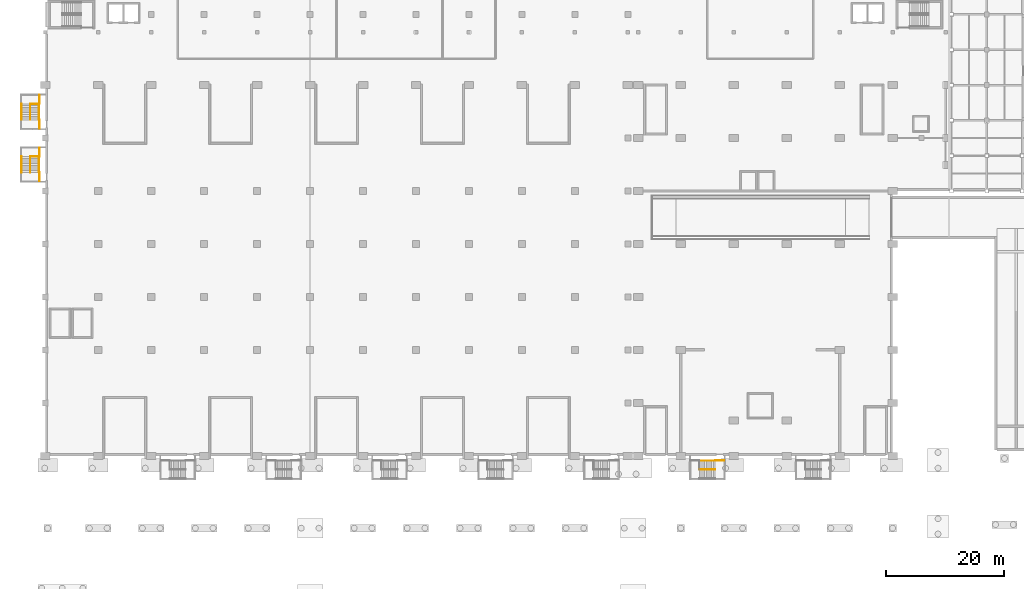
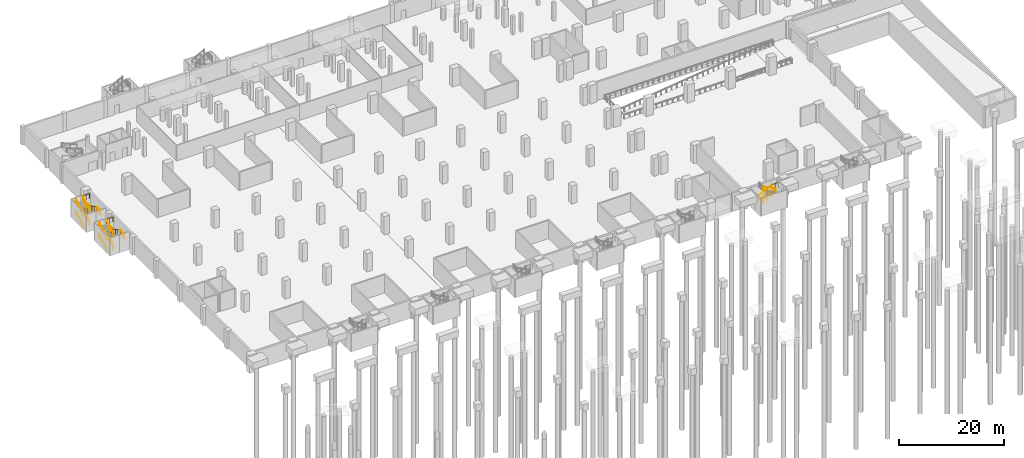
# One storey, part 24 of 27: 22 railings.
"""IFC4 building model written with IfcOpenShell, lengths in metres."""

import ifcopenshell
import ifcopenshell.guid

model = None  # the IFC model being written
_history = None  # IfcOwnerHistory: only IFC2X3 demands one
_inside = {}  # id of a spatial element -> (the spatial element, [elements in it])
_under = {}  # id of a project, library or spatial element -> (it, [spatial elements below it])
_declared = {}  # id of a project -> (the project, [libraries it declares])
_typed = {}  # id of a type object -> (the type object, [elements of that type])
_made_of = {}  # id of a material, layer set ... -> (it, [elements and type objects made of it])


def new_model(schema):
    """Start an empty IFC model of exactly this schema.

    Asked for "IFC4X3", IfcOpenShell would pick the latest addendum, in which some entities
    have other attributes; the version numbers below select the first issue.
    IFC2X3 requires an IfcOwnerHistory on every rooted entity: one is made here for all.
    """
    global model, _history
    if schema == "IFC4X3":
        model = ifcopenshell.file(schema_version=(4, 3, 0, 0))
    else:
        model = ifcopenshell.file(schema=schema)
    _inside.clear()
    _under.clear()
    _declared.clear()
    _typed.clear()
    _made_of.clear()
    _history = None
    if model.schema == "IFC2X3":
        org = make("IfcOrganization", Name="unknown")
        user = make(
            "IfcPersonAndOrganization",
            ThePerson=make("IfcPerson", FamilyName="unknown"),
            TheOrganization=org,
        )
        app = make(
            "IfcApplication",
            ApplicationDeveloper=org,
            Version="unknown",
            ApplicationFullName="unknown",
            ApplicationIdentifier="unknown",
        )
        _history = make(
            "IfcOwnerHistory",
            OwningUser=user,
            OwningApplication=app,
            ChangeAction="ADDED",
            CreationDate=0,
        )
    return model


def make(cls, **values):
    """One entity of the class cls with the attributes given. An attribute that is None is left unset."""
    return model.create_entity(
        cls, **{name: value for name, value in values.items() if value is not None}
    )


def rooted(cls, **values):
    """An entity with a GlobalId (a new one), such as an element, a storey or a relation."""
    return make(cls, GlobalId=ifcopenshell.guid.new(), OwnerHistory=_history, **values)


def si_unit(unit_type, name, prefix=None):
    """IfcSIUnit, for example si_unit("LENGTHUNIT", "METRE", prefix="MILLI")."""
    return make("IfcSIUnit", UnitType=unit_type, Prefix=prefix, Name=name)


def assignment(units):
    """IfcUnitAssignment: the units of a project."""
    return None if units is None else make("IfcUnitAssignment", Units=units)


def point(xyz):
    """IfcCartesianPoint."""
    return None if xyz is None else make("IfcCartesianPoint", Coordinates=xyz)


def direction(xyz):
    """IfcDirection."""
    return None if xyz is None else make("IfcDirection", DirectionRatios=xyz)


def frame(location, z_axis=None, x_axis=None):
    """IfcAxis2Placement3D, a coordinate frame: its origin and axes. An axis left out is left unset."""
    return make(
        "IfcAxis2Placement3D",
        Location=point(location),
        Axis=direction(z_axis),
        RefDirection=direction(x_axis),
    )


def frame_2d(location, x_axis=None):
    """IfcAxis2Placement2D, a coordinate frame in the plane: its origin and x axis."""
    return make(
        "IfcAxis2Placement2D", Location=point(location), RefDirection=direction(x_axis)
    )


def origin():
    """The frame at (0, 0, 0) with its axes left unset."""
    return frame((0.0, 0.0, 0.0))


def origin_2d():
    """The frame at (0, 0) in the plane with its x axis left unset."""
    return frame_2d((0.0, 0.0))


def place(relative_to, where):
    """IfcLocalPlacement: puts the frame where relative to a parent placement (None: the world)."""
    return make(
        "IfcLocalPlacement", PlacementRelTo=relative_to, RelativePlacement=where
    )


def context(
    kind, dimensions, precision=None, world=None, true_north=None, identifier=None
):
    """IfcGeometricRepresentationContext, for example the 3D "Model" context."""
    return make(
        "IfcGeometricRepresentationContext",
        ContextIdentifier=identifier,
        ContextType=kind,
        CoordinateSpaceDimension=dimensions,
        Precision=precision,
        WorldCoordinateSystem=world,
        TrueNorth=true_north,
    )


def subcontext(parent, identifier, kind, view, scale=None):
    """IfcGeometricRepresentationSubContext, for example "Body" below "Model"."""
    return make(
        "IfcGeometricRepresentationSubContext",
        ContextIdentifier=identifier,
        ContextType=kind,
        ParentContext=parent,
        TargetScale=scale,
        TargetView=view,
    )


def project(units=None, contexts=None):
    """IfcProject with its units and contexts."""
    return rooted(
        "IfcProject",
        Name="project",
        RepresentationContexts=contexts,
        UnitsInContext=assignment(units),
    )


def spatial(cls, under=None, at=None, **own):
    """A site, building, storey or space (cls), placed at a placement, below another one or the project."""
    s = rooted(cls, ObjectPlacement=at, **own)
    if under is not None:
        _under.setdefault(under.id(), (under, []))[1].append(s)
    return s


def profile(cls, at=None, kind="AREA", **sizes):
    """A parametric profile (cls). Its sizes go by their IFC names, for example OverallWidth=200.0."""
    return make(cls, ProfileType=kind, Position=at, **sizes)


def circle(**sizes):
    """IfcCircleProfileDef."""
    return profile("IfcCircleProfileDef", **sizes)


def extrude(swept, where, along, depth):
    """IfcExtrudedAreaSolid: the profile swept, set in the frame where, extruded along a direction by depth."""
    return make(
        "IfcExtrudedAreaSolid",
        SweptArea=swept,
        Position=where,
        ExtrudedDirection=direction(along),
        Depth=depth,
    )


def shape(context_of_items, identifier, shape_type, items):
    """IfcShapeRepresentation: the items that make up one representation, for example the "Body"."""
    return make(
        "IfcShapeRepresentation",
        ContextOfItems=context_of_items,
        RepresentationIdentifier=identifier,
        RepresentationType=shape_type,
        Items=items,
    )


def material(Name=None, Category=None):
    """IfcMaterial."""
    return make("IfcMaterial", Name=Name, Category=Category)


def made_of(thing, what):
    """Note that an element or type object is made of a material, layer set ...; save() writes the relation."""
    if what is not None:
        _made_of.setdefault(what.id(), (what, []))[1].append(thing)
    return thing


def type_object(cls, material=None, **own):
    """A type object (cls), such as IfcWallType, which elements share."""
    return made_of(rooted(cls, **own), material)


def element(
    cls,
    number,
    at=None,
    inside=None,
    cuts=None,
    type_object=None,
    material=None,
    context=None,
    identifier="Body",
    shape_type=None,
    held_by="IfcProductDefinitionShape",
    body=None,
    shapes=None,
    **own,
):
    """One element of the class cls, such as IfcWall. Its Tag is "e" and its number.

    at: its placement. inside: the storey or other place that contains it. cuts: it is an
    opening in that element (IfcRelVoidsElement). A single representation is given by context,
    identifier, shape_type and body (its items); several are given by shapes. held_by: the class
    of the entity that holds the representations. save() writes the other relations.
    """
    e = rooted(cls, Tag="e%d" % number, ObjectPlacement=at, **own)
    if body is not None:
        shapes = [shape(context, identifier, shape_type, body)]
    if shapes is not None:
        e.Representation = make(held_by, Representations=shapes)
    if inside is not None:
        _inside.setdefault(inside.id(), (inside, []))[1].append(e)
    if cuts is not None:
        rooted(
            "IfcRelVoidsElement", RelatingBuildingElement=cuts, RelatedOpeningElement=e
        )
    if type_object is not None:
        _typed.setdefault(type_object.id(), (type_object, []))[1].append(e)
    return made_of(e, material)


def aggregate(whole, parts):
    """IfcRelAggregates: a whole, such as a stair, and the parts it consists of."""
    return rooted("IfcRelAggregates", RelatingObject=whole, RelatedObjects=parts)


def save(model, path):
    """Write the relations noted so far, then the file.

    IfcRelAggregates (storeys below a building ...), IfcRelContainedInSpatialStructure (elements
    in a storey), IfcRelDefinesByType, IfcRelAssociatesMaterial and IfcRelDeclares: one each for
    every whole, place, type object, material and project.
    """
    for whole, parts in _under.values():
        aggregate(whole, parts)
    for where, things in _inside.values():
        rooted(
            "IfcRelContainedInSpatialStructure",
            RelatedElements=things,
            RelatingStructure=where,
        )
    for kind, things in _typed.values():
        rooted("IfcRelDefinesByType", RelatedObjects=things, RelatingType=kind)
    for what, things in _made_of.values():
        rooted("IfcRelAssociatesMaterial", RelatedObjects=things, RelatingMaterial=what)
    for by, libraries in _declared.values():
        rooted("IfcRelDeclares", RelatingContext=by, RelatedDefinitions=libraries)
    model.write(path)


model = new_model("IFC4")

# Units and contexts
model_context = context("Model", 3, precision=1e-05, world=origin(), true_north=direction((0.0, 1.0)))
body_context = subcontext(model_context, "Body", "Model", "MODEL_VIEW")
ifc_project = project(units=[si_unit("LENGTHUNIT", "METRE"), si_unit("AREAUNIT", "SQUARE_METRE"), si_unit("VOLUMEUNIT", "CUBIC_METRE"), si_unit("PLANEANGLEUNIT", "RADIAN"), si_unit("MASSUNIT", "GRAM", prefix="KILO")], contexts=[model_context])

# Site, building, storey
site_placement = place(None, origin())
site = spatial("IfcSite", under=ifc_project, at=site_placement, CompositionType="ELEMENT")
building_placement = place(site_placement, origin())
building = spatial("IfcBuilding", under=site, at=building_placement, Name="Aravalli Gate Trade Fair Centre", CompositionType="ELEMENT")
storey_placement = place(building_placement, frame((0.0, 0.0, -4.199951171875)))
storey = spatial("IfcBuildingStorey", under=building, at=storey_placement, Name="B1", CompositionType="ELEMENT", Elevation=-4.199951171875)

# Railings
ifc_material = material(Name="Steel E350", Category="steel")
railing_type_1 = type_object("IfcRailingType", Name="Basement stair guard 1100", PredefinedType="GUARDRAIL", material=ifc_material)
railing_1_placement = place(storey_placement, frame((3.449951171875, 94.14990234375, 0.0)))
element("IfcRailing", 1, at=railing_1_placement, inside=storey, type_object=railing_type_1, Name="Basement stair W1 guard A B1", PredefinedType="GUARDRAIL", context=body_context, shape_type="SweptSolid", body=[
    extrude(circle(Radius=0.02392578125, at=origin_2d()), frame((0.0, 0.0, 1.076171875), z_axis=(0.0, 0.887781257544, 0.460265617609), x_axis=(-1.0, 0.0, 0.0)), (0.0, 0.0, 1.0), 3.04150390625),
    extrude(circle(Radius=0.02099609375, at=origin_2d()), origin(), (0.0, 0.0, 1.0), 1.052001953125),
    extrude(circle(Radius=0.02099609375, at=origin_2d()), frame((0.0, 0.900146484375, 0.466552734375)), (0.0, 0.0, 1.0), 1.052001953125),
    extrude(circle(Radius=0.02099609375, at=origin_2d()), frame((0.0, 1.800048828125, 0.933349609375)), (0.0, 0.0, 1.0), 1.052001953125),
    extrude(circle(Radius=0.02099609375, at=origin_2d()), frame((0.0, 2.7001953125, 1.39990234375)), (0.0, 0.0, 1.0), 1.052001953125),
])
railing_2_placement = place(storey_placement, frame((3.449951171875, 96.85009765625, 1.39990234375)))
element("IfcRailing", 2, at=railing_2_placement, inside=storey, type_object=railing_type_1, Name="Basement stair W1 guard B B1", PredefinedType="GUARDRAIL", context=body_context, shape_type="SweptSolid", body=[
    extrude(circle(Radius=0.02392578125, at=origin_2d()), frame((0.0, 0.0, 1.076171875), z_axis=(0.0, -0.887748457143, 0.460328878998), x_axis=(1.0, 0.0, 0.0)), (0.0, 0.0, 1.0), 3.04150390625),
    extrude(circle(Radius=0.02099609375, at=origin_2d()), origin(), (0.0, 0.0, 1.0), 1.052001953125),
    extrude(circle(Radius=0.02099609375, at=origin_2d()), frame((0.0, -0.900146484375, 0.466796875)), (0.0, 0.0, 1.0), 1.052001953125),
    extrude(circle(Radius=0.02099609375, at=origin_2d()), frame((0.0, -1.800048828125, 0.933349609375)), (0.0, 0.0, 1.0), 1.052001953125),
    extrude(circle(Radius=0.02099609375, at=origin_2d()), frame((0.0, -2.7001953125, 1.400146484375)), (0.0, 0.0, 1.0), 1.052001953125),
])
railing_3_placement = place(storey_placement, frame((3.449951171875, 94.14990234375, 2.800048828125)))
element("IfcRailing", 3, at=railing_3_placement, inside=storey, type_object=railing_type_1, Name="Basement stair W1 guard C B1", PredefinedType="GUARDRAIL", context=body_context, shape_type="SweptSolid", body=[
    extrude(circle(Radius=0.02392578125, at=origin_2d()), frame((0.0, 0.0, 1.076171875), z_axis=(0.0, 0.887781257544, 0.460265617609), x_axis=(-1.0, 0.0, 0.0)), (0.0, 0.0, 1.0), 3.04150390625),
    extrude(circle(Radius=0.02099609375, at=origin_2d()), origin(), (0.0, 0.0, 1.0), 1.052001953125),
    extrude(circle(Radius=0.02099609375, at=origin_2d()), frame((0.0, 0.900146484375, 0.466552734375)), (0.0, 0.0, 1.0), 1.052001953125),
    extrude(circle(Radius=0.02099609375, at=origin_2d()), frame((0.0, 1.800048828125, 0.933349609375)), (0.0, 0.0, 1.0), 1.052001953125),
    extrude(circle(Radius=0.02099609375, at=origin_2d()), frame((0.0, 2.7001953125, 1.39990234375)), (0.0, 0.0, 1.0), 1.052001953125),
])
railing_4_placement = place(storey_placement, frame((4.949951171875, 96.85009765625, 1.39990234375)))
element("IfcRailing", 4, at=railing_4_placement, inside=storey, type_object=railing_type_1, Name="Basement stair W1 guard B B1", PredefinedType="GUARDRAIL", context=body_context, shape_type="SweptSolid", body=[
    extrude(circle(Radius=0.02392578125, at=origin_2d()), frame((0.0, 0.0, 1.076171875), z_axis=(0.0, -0.887748457143, 0.460328878998), x_axis=(1.0, 0.0, 0.0)), (0.0, 0.0, 1.0), 3.04150390625),
    extrude(circle(Radius=0.02099609375, at=origin_2d()), origin(), (0.0, 0.0, 1.0), 1.052001953125),
    extrude(circle(Radius=0.02099609375, at=origin_2d()), frame((0.0, -0.900146484375, 0.466796875)), (0.0, 0.0, 1.0), 1.052001953125),
    extrude(circle(Radius=0.02099609375, at=origin_2d()), frame((0.0, -1.800048828125, 0.933349609375)), (0.0, 0.0, 1.0), 1.052001953125),
    extrude(circle(Radius=0.02099609375, at=origin_2d()), frame((0.0, -2.7001953125, 1.400146484375)), (0.0, 0.0, 1.0), 1.052001953125),
])
for number, where, name in (
    (5, (5.0, 96.85009765625, 1.39990234375), "Basement stair W1 landing edge guard 1 B1"),
    (6, (5.0, 92.64990234375, 2.800048828125), "Basement stair W1 landing edge guard 2 B1"),
):
    element("IfcRailing", number, at=place(storey_placement, frame(where)), inside=storey, type_object=railing_type_1, Name=name, PredefinedType="GUARDRAIL", context=body_context, shape_type="SweptSolid", body=[
        extrude(circle(Radius=0.02392578125, at=origin_2d()), frame((0.0, 0.0, 1.076171875), z_axis=(0.0, 1.0, 0.0), x_axis=(-1.0, 0.0, 0.0)), (0.0, 0.0, 1.0), 1.5),
        extrude(circle(Radius=0.02099609375, at=origin_2d()), origin(), (0.0, 0.0, 1.0), 1.052001953125),
        extrude(circle(Radius=0.02099609375, at=origin_2d()), frame((0.0, 0.75, 0.0)), (0.0, 0.0, 1.0), 1.052001953125),
        extrude(circle(Radius=0.02099609375, at=origin_2d()), frame((0.0, 1.5, 0.0)), (0.0, 0.0, 1.0), 1.052001953125),
    ])
railing_5_placement = place(storey_placement, frame((4.949951171875, 96.85009765625, 4.199951171875)))
element("IfcRailing", 7, at=railing_5_placement, inside=storey, type_object=railing_type_1, Name="Basement stair W1 well guard B1", PredefinedType="GUARDRAIL", context=body_context, shape_type="SweptSolid", body=[
    extrude(circle(Radius=0.02392578125, at=origin_2d()), frame((0.0, 0.0, 1.076171875), z_axis=(-1.0, 0.0, 0.0), x_axis=(0.0, -1.0, 0.0)), (0.0, 0.0, 1.0), 1.5),
    extrude(circle(Radius=0.02099609375, at=origin_2d()), origin(), (0.0, 0.0, 1.0), 1.052001953125),
    extrude(circle(Radius=0.02099609375, at=origin_2d()), frame((-0.75, 0.0, 0.0)), (0.0, 0.0, 1.0), 1.052001953125),
    extrude(circle(Radius=0.02099609375, at=origin_2d()), frame((-1.5, 0.0, 0.0)), (0.0, 0.0, 1.0), 1.052001953125),
])
railing_6_placement = place(storey_placement, frame((3.449951171875, 103.10009765625, 0.0)))
element("IfcRailing", 8, at=railing_6_placement, inside=storey, type_object=railing_type_1, Name="Basement stair W2 guard A B1", PredefinedType="GUARDRAIL", context=body_context, shape_type="SweptSolid", body=[
    extrude(circle(Radius=0.02392578125, at=origin_2d()), frame((0.0, 0.0, 1.076171875), z_axis=(0.0, 0.887764251068, 0.460298418991), x_axis=(-1.0, 0.0, 0.0)), (0.0, 0.0, 1.0), 3.041259765625),
    extrude(circle(Radius=0.02099609375, at=origin_2d()), origin(), (0.0, 0.0, 1.0), 1.052001953125),
    extrude(circle(Radius=0.02099609375, at=origin_2d()), frame((0.0, 0.89990234375, 0.466552734375)), (0.0, 0.0, 1.0), 1.052001953125),
    extrude(circle(Radius=0.02099609375, at=origin_2d()), frame((0.0, 1.800048828125, 0.933349609375)), (0.0, 0.0, 1.0), 1.052001953125),
    extrude(circle(Radius=0.02099609375, at=origin_2d()), frame((0.0, 2.699951171875, 1.39990234375)), (0.0, 0.0, 1.0), 1.052001953125),
])
railing_7_placement = place(storey_placement, frame((3.449951171875, 105.800048828125, 1.39990234375)))
element("IfcRailing", 9, at=railing_7_placement, inside=storey, type_object=railing_type_1, Name="Basement stair W2 guard B B1", PredefinedType="GUARDRAIL", context=body_context, shape_type="SweptSolid", body=[
    extrude(circle(Radius=0.02392578125, at=origin_2d()), frame((0.0, 0.0, 1.076171875), z_axis=(0.0, -0.887731446621, 0.460361682464), x_axis=(1.0, 0.0, 0.0)), (0.0, 0.0, 1.0), 3.04150390625),
    extrude(circle(Radius=0.02099609375, at=origin_2d()), origin(), (0.0, 0.0, 1.0), 1.052001953125),
    extrude(circle(Radius=0.02099609375, at=origin_2d()), frame((0.0, -0.89990234375, 0.466796875)), (0.0, 0.0, 1.0), 1.052001953125),
    extrude(circle(Radius=0.02099609375, at=origin_2d()), frame((0.0, -1.800048828125, 0.933349609375)), (0.0, 0.0, 1.0), 1.052001953125),
    extrude(circle(Radius=0.02099609375, at=origin_2d()), frame((0.0, -2.699951171875, 1.400146484375)), (0.0, 0.0, 1.0), 1.052001953125),
])
railing_8_placement = place(storey_placement, frame((3.449951171875, 103.10009765625, 2.800048828125)))
element("IfcRailing", 10, at=railing_8_placement, inside=storey, type_object=railing_type_1, Name="Basement stair W2 guard C B1", PredefinedType="GUARDRAIL", context=body_context, shape_type="SweptSolid", body=[
    extrude(circle(Radius=0.02392578125, at=origin_2d()), frame((0.0, 0.0, 1.076171875), z_axis=(0.0, 0.887764251068, 0.460298418991), x_axis=(-1.0, 0.0, 0.0)), (0.0, 0.0, 1.0), 3.041259765625),
    extrude(circle(Radius=0.02099609375, at=origin_2d()), origin(), (0.0, 0.0, 1.0), 1.052001953125),
    extrude(circle(Radius=0.02099609375, at=origin_2d()), frame((0.0, 0.89990234375, 0.466552734375)), (0.0, 0.0, 1.0), 1.052001953125),
    extrude(circle(Radius=0.02099609375, at=origin_2d()), frame((0.0, 1.800048828125, 0.933349609375)), (0.0, 0.0, 1.0), 1.052001953125),
    extrude(circle(Radius=0.02099609375, at=origin_2d()), frame((0.0, 2.699951171875, 1.39990234375)), (0.0, 0.0, 1.0), 1.052001953125),
])
railing_9_placement = place(storey_placement, frame((4.949951171875, 105.800048828125, 1.39990234375)))
element("IfcRailing", 11, at=railing_9_placement, inside=storey, type_object=railing_type_1, Name="Basement stair W2 guard B B1", PredefinedType="GUARDRAIL", context=body_context, shape_type="SweptSolid", body=[
    extrude(circle(Radius=0.02392578125, at=origin_2d()), frame((0.0, 0.0, 1.076171875), z_axis=(0.0, -0.887731446621, 0.460361682464), x_axis=(1.0, 0.0, 0.0)), (0.0, 0.0, 1.0), 3.04150390625),
    extrude(circle(Radius=0.02099609375, at=origin_2d()), origin(), (0.0, 0.0, 1.0), 1.052001953125),
    extrude(circle(Radius=0.02099609375, at=origin_2d()), frame((0.0, -0.89990234375, 0.466796875)), (0.0, 0.0, 1.0), 1.052001953125),
    extrude(circle(Radius=0.02099609375, at=origin_2d()), frame((0.0, -1.800048828125, 0.933349609375)), (0.0, 0.0, 1.0), 1.052001953125),
    extrude(circle(Radius=0.02099609375, at=origin_2d()), frame((0.0, -2.699951171875, 1.400146484375)), (0.0, 0.0, 1.0), 1.052001953125),
])
for number, where, name in (
    (12, (5.0, 105.800048828125, 1.39990234375), "Basement stair W2 landing edge guard 1 B1"),
    (13, (5.0, 101.60009765625, 2.800048828125), "Basement stair W2 landing edge guard 2 B1"),
):
    element("IfcRailing", number, at=place(storey_placement, frame(where)), inside=storey, type_object=railing_type_1, Name=name, PredefinedType="GUARDRAIL", context=body_context, shape_type="SweptSolid", body=[
        extrude(circle(Radius=0.02392578125, at=origin_2d()), frame((0.0, 0.0, 1.076171875), z_axis=(0.0, 1.0, 0.0), x_axis=(-1.0, 0.0, 0.0)), (0.0, 0.0, 1.0), 1.5),
        extrude(circle(Radius=0.02099609375, at=origin_2d()), origin(), (0.0, 0.0, 1.0), 1.052001953125),
        extrude(circle(Radius=0.02099609375, at=origin_2d()), frame((0.0, 0.75, 0.0)), (0.0, 0.0, 1.0), 1.052001953125),
        extrude(circle(Radius=0.02099609375, at=origin_2d()), frame((0.0, 1.5, 0.0)), (0.0, 0.0, 1.0), 1.052001953125),
    ])
railing_10_placement = place(storey_placement, frame((4.949951171875, 105.800048828125, 4.199951171875)))
element("IfcRailing", 14, at=railing_10_placement, inside=storey, type_object=railing_type_1, Name="Basement stair W2 well guard B1", PredefinedType="GUARDRAIL", context=body_context, shape_type="SweptSolid", body=[
    extrude(circle(Radius=0.02392578125, at=origin_2d()), frame((0.0, 0.0, 1.076171875), z_axis=(-1.0, 0.0, 0.0), x_axis=(0.0, -1.0, 0.0)), (0.0, 0.0, 1.0), 1.5),
    extrude(circle(Radius=0.02099609375, at=origin_2d()), origin(), (0.0, 0.0, 1.0), 1.052001953125),
    extrude(circle(Radius=0.02099609375, at=origin_2d()), frame((-0.75, 0.0, 0.0)), (0.0, 0.0, 1.0), 1.052001953125),
    extrude(circle(Radius=0.02099609375, at=origin_2d()), frame((-1.5, 0.0, 0.0)), (0.0, 0.0, 1.0), 1.052001953125),
])
railing_11_placement = place(storey_placement, frame((117.14990234375, 43.64990234375, 1.39990234375)))
element("IfcRailing", 15, at=railing_11_placement, inside=storey, type_object=railing_type_1, Name="Basement stair S6 guard B B1", PredefinedType="GUARDRAIL", context=body_context, shape_type="SweptSolid", body=[
    extrude(circle(Radius=0.02392578125, at=origin_2d()), frame((0.0, 0.0, 1.076171875), z_axis=(0.887748457143, 0.0, 0.460328878998), x_axis=(0.0, 1.0, 0.0)), (0.0, 0.0, 1.0), 3.04150390625),
    extrude(circle(Radius=0.02099609375, at=origin_2d()), origin(), (0.0, 0.0, 1.0), 1.052001953125),
    extrude(circle(Radius=0.02099609375, at=origin_2d()), frame((0.900146484375, 0.0, 0.466796875)), (0.0, 0.0, 1.0), 1.052001953125),
    extrude(circle(Radius=0.02099609375, at=origin_2d()), frame((1.800048828125, 0.0, 0.933349609375)), (0.0, 0.0, 1.0), 1.052001953125),
    extrude(circle(Radius=0.02099609375, at=origin_2d()), frame((2.7001953125, 0.0, 1.400146484375)), (0.0, 0.0, 1.0), 1.052001953125),
])
railing_12_placement = place(storey_placement, frame((119.85009765625, 43.64990234375, 2.800048828125)))
element("IfcRailing", 16, at=railing_12_placement, inside=storey, type_object=railing_type_1, Name="Basement stair S6 guard C B1", PredefinedType="GUARDRAIL", context=body_context, shape_type="SweptSolid", body=[
    extrude(circle(Radius=0.02392578125, at=origin_2d()), frame((0.0, 0.0, 1.076171875), z_axis=(-0.887781257544, 0.0, 0.460265617609), x_axis=(0.0, -1.0, 0.0)), (0.0, 0.0, 1.0), 3.04150390625),
    extrude(circle(Radius=0.02099609375, at=origin_2d()), origin(), (0.0, 0.0, 1.0), 1.052001953125),
    extrude(circle(Radius=0.02099609375, at=origin_2d()), frame((-0.900146484375, 0.0, 0.466552734375)), (0.0, 0.0, 1.0), 1.052001953125),
    extrude(circle(Radius=0.02099609375, at=origin_2d()), frame((-1.800048828125, 0.0, 0.933349609375)), (0.0, 0.0, 1.0), 1.052001953125),
    extrude(circle(Radius=0.02099609375, at=origin_2d()), frame((-2.7001953125, 0.0, 1.39990234375)), (0.0, 0.0, 1.0), 1.052001953125),
])
railing_13_placement = place(storey_placement, frame((117.14990234375, 45.14990234375, 1.39990234375)))
element("IfcRailing", 17, at=railing_13_placement, inside=storey, type_object=railing_type_1, Name="Basement stair S6 guard B B1", PredefinedType="GUARDRAIL", context=body_context, shape_type="SweptSolid", body=[
    extrude(circle(Radius=0.02392578125, at=origin_2d()), frame((0.0, 0.0, 1.076171875), z_axis=(0.887748457143, 0.0, 0.460328878998), x_axis=(0.0, 1.0, 0.0)), (0.0, 0.0, 1.0), 3.04150390625),
    extrude(circle(Radius=0.02099609375, at=origin_2d()), origin(), (0.0, 0.0, 1.0), 1.052001953125),
    extrude(circle(Radius=0.02099609375, at=origin_2d()), frame((0.900146484375, 0.0, 0.466796875)), (0.0, 0.0, 1.0), 1.052001953125),
    extrude(circle(Radius=0.02099609375, at=origin_2d()), frame((1.800048828125, 0.0, 0.933349609375)), (0.0, 0.0, 1.0), 1.052001953125),
    extrude(circle(Radius=0.02099609375, at=origin_2d()), frame((2.7001953125, 0.0, 1.400146484375)), (0.0, 0.0, 1.0), 1.052001953125),
])
railing_14_placement = place(storey_placement, frame((121.35009765625, 45.199951171875, 2.800048828125)))
element("IfcRailing", 18, at=railing_14_placement, inside=storey, type_object=railing_type_1, Name="Basement stair S6 landing edge guard 2 B1", PredefinedType="GUARDRAIL", context=body_context, shape_type="SweptSolid", body=[
    extrude(circle(Radius=0.02392578125, at=origin_2d()), frame((0.0, 0.0, 1.076171875), z_axis=(-1.0, 0.0, 0.0), x_axis=(0.0, -1.0, 0.0)), (0.0, 0.0, 1.0), 1.5),
    extrude(circle(Radius=0.02099609375, at=origin_2d()), origin(), (0.0, 0.0, 1.0), 1.052001953125),
    extrude(circle(Radius=0.02099609375, at=origin_2d()), frame((-0.75, 0.0, 0.0)), (0.0, 0.0, 1.0), 1.052001953125),
    extrude(circle(Radius=0.02099609375, at=origin_2d()), frame((-1.5, 0.0, 0.0)), (0.0, 0.0, 1.0), 1.052001953125),
])
railing_type_2 = type_object("IfcRailingType", Name="Basement stair handrail 900", PredefinedType="HANDRAIL", material=ifc_material)
for number, where, name in (
    (19, (1.949951171875, 94.14990234375, 0.0), "Basement stair W1 handrail A B1"),
    (20, (1.949951171875, 94.14990234375, 2.800048828125), "Basement stair W1 handrail C B1"),
):
    element("IfcRailing", number, at=place(storey_placement, frame(where)), inside=storey, type_object=railing_type_2, Name=name, PredefinedType="HANDRAIL", context=body_context, shape_type="SweptSolid", body=[
        extrude(circle(Radius=0.02392578125, at=origin_2d()), frame((0.0, 0.0, 0.8759765625), z_axis=(0.0, 0.887781257544, 0.460265617609), x_axis=(-1.0, 0.0, 0.0)), (0.0, 0.0, 1.0), 3.04150390625),
        extrude(circle(Radius=0.02099609375, at=origin_2d()), origin(), (0.0, 0.0, 1.0), 0.851806640625),
        extrude(circle(Radius=0.02099609375, at=origin_2d()), frame((0.0, 0.900146484375, 0.466552734375)), (0.0, 0.0, 1.0), 0.851806640625),
        extrude(circle(Radius=0.02099609375, at=origin_2d()), frame((0.0, 1.800048828125, 0.933349609375)), (0.0, 0.0, 1.0), 0.851806640625),
        extrude(circle(Radius=0.02099609375, at=origin_2d()), frame((0.0, 2.7001953125, 1.39990234375)), (0.0, 0.0, 1.0), 0.851806640625),
    ])
for number, where, name in (
    (21, (1.949951171875, 103.10009765625, 0.0), "Basement stair W2 handrail A B1"),
    (22, (1.949951171875, 103.10009765625, 2.800048828125), "Basement stair W2 handrail C B1"),
):
    element("IfcRailing", number, at=place(storey_placement, frame(where)), inside=storey, type_object=railing_type_2, Name=name, PredefinedType="HANDRAIL", context=body_context, shape_type="SweptSolid", body=[
        extrude(circle(Radius=0.02392578125, at=origin_2d()), frame((0.0, 0.0, 0.8759765625), z_axis=(0.0, 0.887764251068, 0.460298418991), x_axis=(-1.0, 0.0, 0.0)), (0.0, 0.0, 1.0), 3.041259765625),
        extrude(circle(Radius=0.02099609375, at=origin_2d()), origin(), (0.0, 0.0, 1.0), 0.851806640625),
        extrude(circle(Radius=0.02099609375, at=origin_2d()), frame((0.0, 0.89990234375, 0.466552734375)), (0.0, 0.0, 1.0), 0.851806640625),
        extrude(circle(Radius=0.02099609375, at=origin_2d()), frame((0.0, 1.800048828125, 0.933349609375)), (0.0, 0.0, 1.0), 0.851806640625),
        extrude(circle(Radius=0.02099609375, at=origin_2d()), frame((0.0, 2.699951171875, 1.39990234375)), (0.0, 0.0, 1.0), 0.851806640625),
    ])

save(model, "model.ifc")
